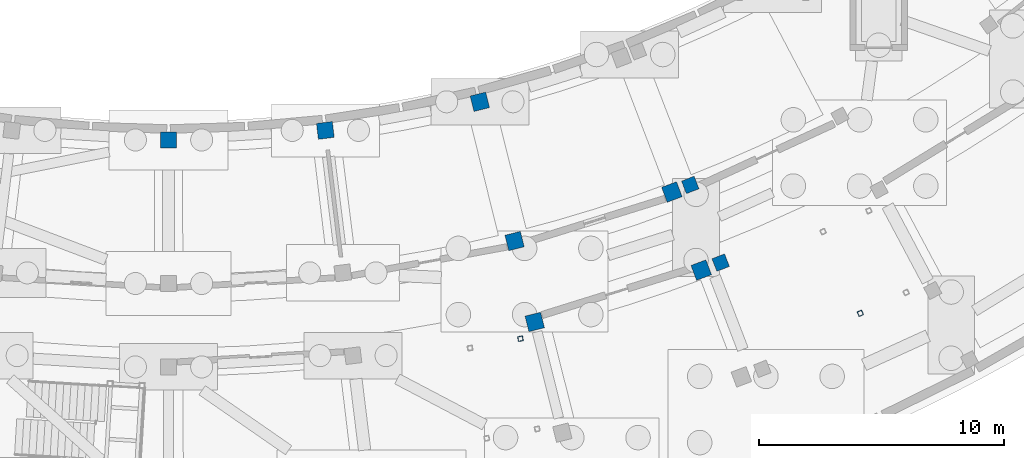
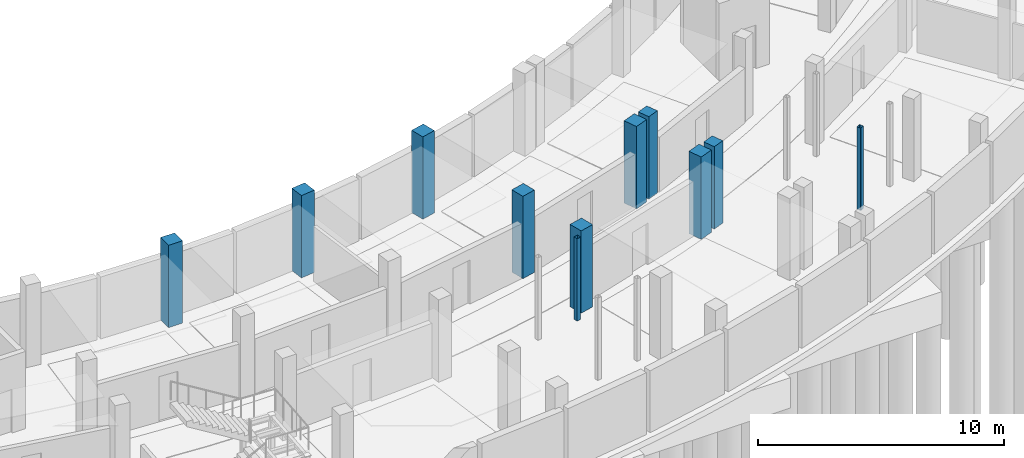
# One storey, part 20 of 58: 11 columns.
"""IFC4 building model written with IfcOpenShell, lengths in metres."""

from ifc_helpers import new_model, si_unit, direction, frame, origin, origin_2d, place, context, subcontext, project, spatial, rectangle, hollow_rectangle, extrude, material, material_profile, profile_set, type_object, element, save


model = new_model("IFC4")

# Units and contexts
model_context = context("Model", 3, precision=1e-05, world=origin(), true_north=direction((0.0, 1.0)))
body_context = subcontext(model_context, "Body", "Model", "MODEL_VIEW")
ifc_project = project(units=[si_unit("LENGTHUNIT", "METRE"), si_unit("AREAUNIT", "SQUARE_METRE"), si_unit("VOLUMEUNIT", "CUBIC_METRE"), si_unit("PLANEANGLEUNIT", "RADIAN"), si_unit("MASSUNIT", "GRAM", prefix="KILO")], contexts=[model_context])

# Site, building, storey
site_placement = place(None, origin())
site = spatial("IfcSite", under=ifc_project, at=site_placement, CompositionType="ELEMENT")
building_placement = place(site_placement, origin())
building = spatial("IfcBuilding", under=site, at=building_placement, Name="Caldaven Crescent School", CompositionType="ELEMENT")
storey_placement = place(building_placement, frame((0.0, 0.0, -4.080078125)))
storey = spatial("IfcBuildingStorey", under=building, at=storey_placement, Name="B1", CompositionType="ELEMENT", Elevation=-4.080078125)

# Columns
ifc_material_1 = material(Name="Steel ASTM A572 Grade 50", Category="steel")
ifc_material_profile_1 = material_profile(ifc_material_1, hollow_rectangle(XDim=0.199951171875, YDim=0.199951171875, WallThickness=0.010009765625, InnerFilletRadius=0.010009765625, OuterFilletRadius=0.02001953125, at=origin_2d()), Name="HSS 200x200x10")
ifc_profile_set_1 = profile_set([ifc_material_profile_1], Name="Steel ASTM A572 Grade 50")
column_type_1 = type_object("IfcColumnType", Name="COL-HS20", PredefinedType="COLUMN", material=ifc_profile_set_1)
for number, where, z_axis, x_axis, name in (
    (1, (102.344482421875, 35.4501953125, 0.0), (0.0, 0.0, 1.0), (0.983254907564, 0.182235525492, 0.0), "COL-STPOST-ST3-B1-D"),
    (2, (116.19921875, 36.4853515625, 0.0), (0.0, 0.0, 1.0), (0.909961270877, 0.414693242656, 0.0), "COL-STPOST-ST4-B1-A"),
):
    element("IfcColumn", number, at=place(storey_placement, frame(where, z_axis=z_axis, x_axis=x_axis)), inside=storey, type_object=column_type_1, Name=name, PredefinedType="COLUMN", context=body_context, shape_type="SweptSolid", body=[
        extrude(hollow_rectangle(XDim=0.199951171875, YDim=0.199951171875, WallThickness=0.010009765625, InnerFilletRadius=0.010009765625, OuterFilletRadius=0.02001953125, at=origin_2d()), origin(), (0.0, 0.0, 1.0), 4.080078125),
    ])
ifc_material_2 = material(Name="Concrete C35/45", Category="concrete")
ifc_material_profile_2 = material_profile(ifc_material_2, rectangle(XDim=0.550048828125, YDim=0.550048828125, at=origin_2d()), Name="RC 550x550")
ifc_profile_set_2 = profile_set([ifc_material_profile_2], Name="Concrete C35/45")
column_type_2 = type_object("IfcColumnType", Name="COL-RC55", PredefinedType="COLUMN", material=ifc_profile_set_2)
for number, where, z_axis, x_axis, name in (
    (3, (109.26708984375, 41.71728515625, 0.0), (0.0, 0.0, 1.0), (0.364714278886, -0.931119484694, 0.0), "COL-V4E-B1-00-1"),
    (4, (110.50732421875, 38.5517578125, 0.0), (0.0, 0.0, 1.0), (0.364714278886, -0.931119484694, 0.0), "COL-V4E-B1-00-2"),
):
    element("IfcColumn", number, at=place(storey_placement, frame(where, z_axis=z_axis, x_axis=x_axis)), inside=storey, type_object=column_type_2, Name=name, PredefinedType="COLUMN", context=body_context, shape_type="SweptSolid", body=[
        extrude(rectangle(XDim=0.550048828125, YDim=0.550048828125, at=origin_2d()), origin(), (0.0, 0.0, 1.0), 4.080078125),
    ])
ifc_material_profile_3 = material_profile(ifc_material_2, rectangle(XDim=0.64990234375, YDim=0.64990234375, at=origin_2d()), Name="RC 650x650")
ifc_profile_set_3 = profile_set([ifc_material_profile_3], Name="Concrete C35/45")
column_type_3 = type_object("IfcColumnType", Name="COL-RC65", PredefinedType="COLUMN", material=ifc_profile_set_3)
for number, where, z_axis, x_axis, name in (
    (5, (88.0, 43.550048828125, 0.0), (0.0, 0.0, 1.0), (0.0, -1.0, 0.0), "COL-V5-B1-03-0"),
    (6, (94.39208984375, 43.94091796875, 0.0), (0.0, 0.0, 1.0), (0.121869343405, -0.992546151641, 0.0), "COL-V5-B1-04-0"),
    (7, (100.688720703125, 45.10791015625, 0.0), (0.0, 0.0, 1.0), (0.2419218956, -0.970295726276, 0.0), "COL-V5-B1-05-0"),
    (8, (102.10400390625, 39.431640625, 0.0), (0.0, 0.0, 1.0), (0.2419218956, -0.970295726276, 0.0), "COL-V5-B1-05-1"),
    (9, (102.926513671875, 36.1328125, 0.0), (0.0, 0.0, 1.0), (0.2419218956, -0.970295726276, 0.0), "COL-V5-B1-05-2"),
    (10, (108.517578125, 41.4296875, 0.0), (0.0, 0.0, 1.0), (0.352005016254, -0.93599811353, 0.0), "COL-V5-B1-06-1"),
    (11, (109.714111328125, 38.247314453125, 0.0), (0.0, 0.0, 1.0), (0.352005016254, -0.93599811353, 0.0), "COL-V5-B1-06-2"),
):
    element("IfcColumn", number, at=place(storey_placement, frame(where, z_axis=z_axis, x_axis=x_axis)), inside=storey, type_object=column_type_3, Name=name, PredefinedType="COLUMN", context=body_context, shape_type="SweptSolid", body=[
        extrude(rectangle(XDim=0.64990234375, YDim=0.64990234375, at=origin_2d()), origin(), (0.0, 0.0, 1.0), 4.080078125),
    ])

save(model, "model.ifc")
